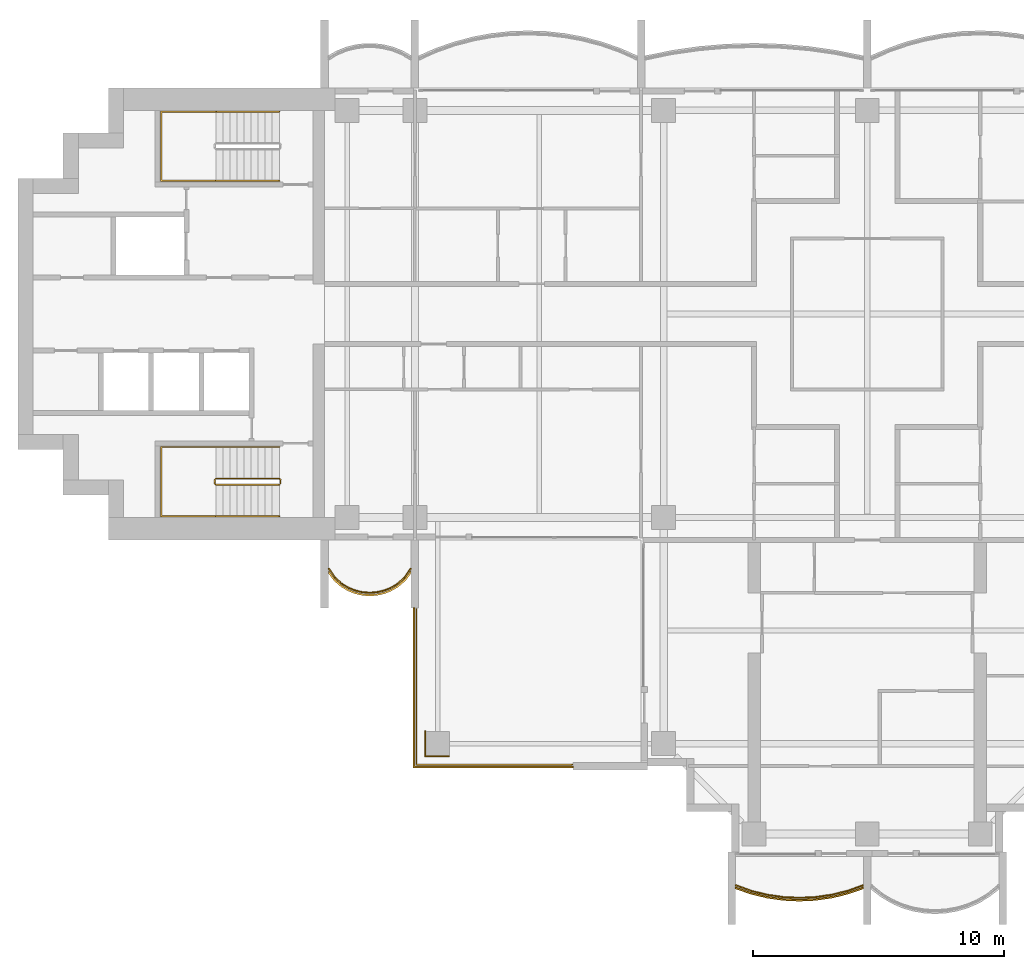
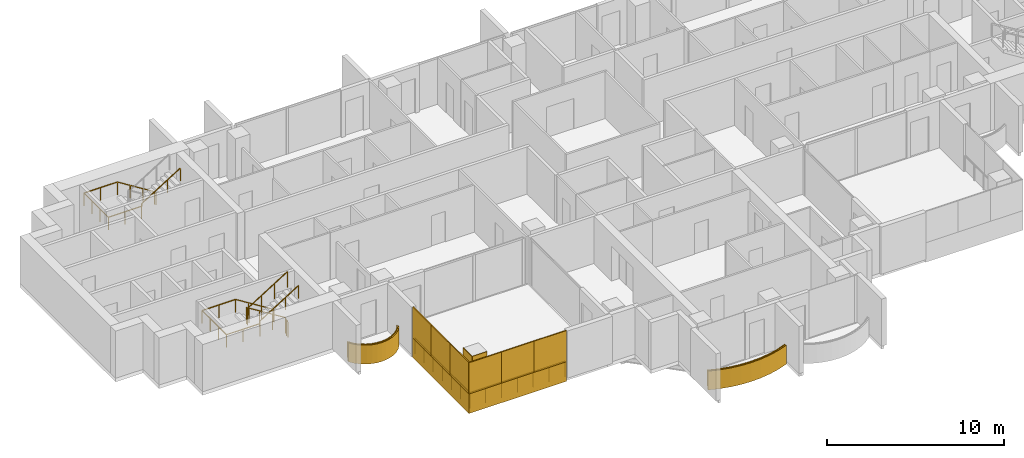
# One storey, part 14 of 17: 11 coverings, 6 railings.
"""IFC4 building model written with IfcOpenShell, lengths in metres."""

import ifcopenshell
import ifcopenshell.guid

model = None  # the IFC model being written
_history = None  # IfcOwnerHistory: only IFC2X3 demands one
_inside = {}  # id of a spatial element -> (the spatial element, [elements in it])
_under = {}  # id of a project, library or spatial element -> (it, [spatial elements below it])
_declared = {}  # id of a project -> (the project, [libraries it declares])
_typed = {}  # id of a type object -> (the type object, [elements of that type])
_made_of = {}  # id of a material, layer set ... -> (it, [elements and type objects made of it])


def new_model(schema):
    """Start an empty IFC model of exactly this schema.

    Asked for "IFC4X3", IfcOpenShell would pick the latest addendum, in which some entities
    have other attributes; the version numbers below select the first issue.
    IFC2X3 requires an IfcOwnerHistory on every rooted entity: one is made here for all.
    """
    global model, _history
    if schema == "IFC4X3":
        model = ifcopenshell.file(schema_version=(4, 3, 0, 0))
    else:
        model = ifcopenshell.file(schema=schema)
    _inside.clear()
    _under.clear()
    _declared.clear()
    _typed.clear()
    _made_of.clear()
    _history = None
    if model.schema == "IFC2X3":
        org = make("IfcOrganization", Name="unknown")
        user = make(
            "IfcPersonAndOrganization",
            ThePerson=make("IfcPerson", FamilyName="unknown"),
            TheOrganization=org,
        )
        app = make(
            "IfcApplication",
            ApplicationDeveloper=org,
            Version="unknown",
            ApplicationFullName="unknown",
            ApplicationIdentifier="unknown",
        )
        _history = make(
            "IfcOwnerHistory",
            OwningUser=user,
            OwningApplication=app,
            ChangeAction="ADDED",
            CreationDate=0,
        )
    return model


def make(cls, **values):
    """One entity of the class cls with the attributes given. An attribute that is None is left unset."""
    return model.create_entity(
        cls, **{name: value for name, value in values.items() if value is not None}
    )


def rooted(cls, **values):
    """An entity with a GlobalId (a new one), such as an element, a storey or a relation."""
    return make(cls, GlobalId=ifcopenshell.guid.new(), OwnerHistory=_history, **values)


def si_unit(unit_type, name, prefix=None):
    """IfcSIUnit, for example si_unit("LENGTHUNIT", "METRE", prefix="MILLI")."""
    return make("IfcSIUnit", UnitType=unit_type, Prefix=prefix, Name=name)


def assignment(units):
    """IfcUnitAssignment: the units of a project."""
    return None if units is None else make("IfcUnitAssignment", Units=units)


def point(xyz):
    """IfcCartesianPoint."""
    return None if xyz is None else make("IfcCartesianPoint", Coordinates=xyz)


def direction(xyz):
    """IfcDirection."""
    return None if xyz is None else make("IfcDirection", DirectionRatios=xyz)


def frame(location, z_axis=None, x_axis=None):
    """IfcAxis2Placement3D, a coordinate frame: its origin and axes. An axis left out is left unset."""
    return make(
        "IfcAxis2Placement3D",
        Location=point(location),
        Axis=direction(z_axis),
        RefDirection=direction(x_axis),
    )


def frame_2d(location, x_axis=None):
    """IfcAxis2Placement2D, a coordinate frame in the plane: its origin and x axis."""
    return make(
        "IfcAxis2Placement2D", Location=point(location), RefDirection=direction(x_axis)
    )


def origin():
    """The frame at (0, 0, 0) with its axes left unset."""
    return frame((0.0, 0.0, 0.0))


def origin_2d():
    """The frame at (0, 0) in the plane with its x axis left unset."""
    return frame_2d((0.0, 0.0))


def place(relative_to, where):
    """IfcLocalPlacement: puts the frame where relative to a parent placement (None: the world)."""
    return make(
        "IfcLocalPlacement", PlacementRelTo=relative_to, RelativePlacement=where
    )


def context(
    kind, dimensions, precision=None, world=None, true_north=None, identifier=None
):
    """IfcGeometricRepresentationContext, for example the 3D "Model" context."""
    return make(
        "IfcGeometricRepresentationContext",
        ContextIdentifier=identifier,
        ContextType=kind,
        CoordinateSpaceDimension=dimensions,
        Precision=precision,
        WorldCoordinateSystem=world,
        TrueNorth=true_north,
    )


def subcontext(parent, identifier, kind, view, scale=None):
    """IfcGeometricRepresentationSubContext, for example "Body" below "Model"."""
    return make(
        "IfcGeometricRepresentationSubContext",
        ContextIdentifier=identifier,
        ContextType=kind,
        ParentContext=parent,
        TargetScale=scale,
        TargetView=view,
    )


def project(units=None, contexts=None):
    """IfcProject with its units and contexts."""
    return rooted(
        "IfcProject",
        Name="project",
        RepresentationContexts=contexts,
        UnitsInContext=assignment(units),
    )


def spatial(cls, under=None, at=None, **own):
    """A site, building, storey or space (cls), placed at a placement, below another one or the project."""
    s = rooted(cls, ObjectPlacement=at, **own)
    if under is not None:
        _under.setdefault(under.id(), (under, []))[1].append(s)
    return s


def polyline(points):
    """IfcPolyline through the points."""
    return make("IfcPolyline", Points=[point(p) for p in points])


def profile(cls, at=None, kind="AREA", **sizes):
    """A parametric profile (cls). Its sizes go by their IFC names, for example OverallWidth=200.0."""
    return make(cls, ProfileType=kind, Position=at, **sizes)


def rectangle(**sizes):
    """IfcRectangleProfileDef."""
    return profile("IfcRectangleProfileDef", **sizes)


def outline(outer, holes=None, kind="AREA"):
    """IfcArbitraryClosedProfileDef: a profile drawn as a closed curve; with holes, ...WithVoids."""
    if holes is None:
        return make("IfcArbitraryClosedProfileDef", ProfileType=kind, OuterCurve=outer)
    return make(
        "IfcArbitraryProfileDefWithVoids",
        ProfileType=kind,
        OuterCurve=outer,
        InnerCurves=holes,
    )


def extrude(swept, where, along, depth):
    """IfcExtrudedAreaSolid: the profile swept, set in the frame where, extruded along a direction by depth."""
    return make(
        "IfcExtrudedAreaSolid",
        SweptArea=swept,
        Position=where,
        ExtrudedDirection=direction(along),
        Depth=depth,
    )


def shape(context_of_items, identifier, shape_type, items):
    """IfcShapeRepresentation: the items that make up one representation, for example the "Body"."""
    return make(
        "IfcShapeRepresentation",
        ContextOfItems=context_of_items,
        RepresentationIdentifier=identifier,
        RepresentationType=shape_type,
        Items=items,
    )


def material(Name=None, Category=None):
    """IfcMaterial."""
    return make("IfcMaterial", Name=Name, Category=Category)


def layer(
    of_material, thickness, ventilated=None, Name=None, Category=None, Priority=None
):
    """IfcMaterialLayer: one layer of a wall or slab, of a material (None: an air gap)."""
    return make(
        "IfcMaterialLayer",
        Material=of_material,
        LayerThickness=thickness,
        IsVentilated=ventilated,
        Name=Name,
        Category=Category,
        Priority=Priority,
    )


def layer_set(layers, Name=None):
    """IfcMaterialLayerSet."""
    return make("IfcMaterialLayerSet", MaterialLayers=layers, LayerSetName=Name)


def made_of(thing, what):
    """Note that an element or type object is made of a material, layer set ...; save() writes the relation."""
    if what is not None:
        _made_of.setdefault(what.id(), (what, []))[1].append(thing)
    return thing


def type_object(cls, material=None, **own):
    """A type object (cls), such as IfcWallType, which elements share."""
    return made_of(rooted(cls, **own), material)


def element(
    cls,
    number,
    at=None,
    inside=None,
    cuts=None,
    type_object=None,
    material=None,
    context=None,
    identifier="Body",
    shape_type=None,
    held_by="IfcProductDefinitionShape",
    body=None,
    shapes=None,
    **own,
):
    """One element of the class cls, such as IfcWall. Its Tag is "e" and its number.

    at: its placement. inside: the storey or other place that contains it. cuts: it is an
    opening in that element (IfcRelVoidsElement). A single representation is given by context,
    identifier, shape_type and body (its items); several are given by shapes. held_by: the class
    of the entity that holds the representations. save() writes the other relations.
    """
    e = rooted(cls, Tag="e%d" % number, ObjectPlacement=at, **own)
    if body is not None:
        shapes = [shape(context, identifier, shape_type, body)]
    if shapes is not None:
        e.Representation = make(held_by, Representations=shapes)
    if inside is not None:
        _inside.setdefault(inside.id(), (inside, []))[1].append(e)
    if cuts is not None:
        rooted(
            "IfcRelVoidsElement", RelatingBuildingElement=cuts, RelatedOpeningElement=e
        )
    if type_object is not None:
        _typed.setdefault(type_object.id(), (type_object, []))[1].append(e)
    return made_of(e, material)


def aggregate(whole, parts):
    """IfcRelAggregates: a whole, such as a stair, and the parts it consists of."""
    return rooted("IfcRelAggregates", RelatingObject=whole, RelatedObjects=parts)


def save(model, path):
    """Write the relations noted so far, then the file.

    IfcRelAggregates (storeys below a building ...), IfcRelContainedInSpatialStructure (elements
    in a storey), IfcRelDefinesByType, IfcRelAssociatesMaterial and IfcRelDeclares: one each for
    every whole, place, type object, material and project.
    """
    for whole, parts in _under.values():
        aggregate(whole, parts)
    for where, things in _inside.values():
        rooted(
            "IfcRelContainedInSpatialStructure",
            RelatedElements=things,
            RelatingStructure=where,
        )
    for kind, things in _typed.values():
        rooted("IfcRelDefinesByType", RelatedObjects=things, RelatingType=kind)
    for what, things in _made_of.values():
        rooted("IfcRelAssociatesMaterial", RelatedObjects=things, RelatingMaterial=what)
    for by, libraries in _declared.values():
        rooted("IfcRelDeclares", RelatingContext=by, RelatedDefinitions=libraries)
    model.write(path)


model = new_model("IFC4")

# Units and contexts
model_context = context("Model", 3, precision=1e-05, world=origin(), true_north=direction((0.0, 1.0)))
body_context = subcontext(model_context, "Body", "Model", "MODEL_VIEW")
ifc_project = project(units=[si_unit("LENGTHUNIT", "METRE"), si_unit("AREAUNIT", "SQUARE_METRE"), si_unit("VOLUMEUNIT", "CUBIC_METRE"), si_unit("PLANEANGLEUNIT", "RADIAN"), si_unit("MASSUNIT", "GRAM", prefix="KILO")], contexts=[model_context])

# Site, building, storey
site_placement = place(None, origin())
site = spatial("IfcSite", under=ifc_project, at=site_placement, CompositionType="ELEMENT")
building_placement = place(site_placement, origin())
building = spatial("IfcBuilding", under=site, at=building_placement, Name="Perihelion Cross Residences", CompositionType="ELEMENT")
storey_placement = place(building_placement, frame((0.0, 0.0, 184.10009765625)))
storey = spatial("IfcBuildingStorey", under=building, at=storey_placement, Name="L45", CompositionType="ELEMENT", Elevation=184.10009765625)

# Coverings
ifc_material_1 = material(Name="Bronze anodised aluminium", Category="aluminium")
ifc_layer_1 = layer(ifc_material_1, 0.070068359375)
ifc_layer_set_1 = layer_set([ifc_layer_1], Name="Balcony fascia 1300")
covering_type_1 = type_object("IfcCoveringType", Name="Balcony fascia 1300", PredefinedType="CLADDING", material=ifc_layer_set_1)
covering_1_placement = place(storey_placement, frame((0.0, 0.0, -0.2001953125)))
element("IfcCovering", 1, at=covering_1_placement, inside=storey, type_object=covering_type_1, Name="Fascia BF1 L45 west side south bay 1", PredefinedType="CLADDING", context=body_context, shape_type="SweptSolid", body=[
    extrude(outline(polyline([(-21.226318359375, -10.616455078125), (-20.94091796875, -10.86328125), (-20.655517578125, -11.031494140625), (-20.370361328125, -11.142578125), (-20.085205078125, -11.206298828125), (-19.800048828125, -11.22705078125), (-19.514892578125, -11.206298828125), (-19.229736328125, -11.142578125), (-18.9443359375, -11.031494140625), (-18.6591796875, -10.86328125), (-18.373779296875, -10.616455078125), (-18.14990234375, -10.31689453125), (-18.14990234375, -10.199951171875), (-18.425048828125, -10.568603515625), (-18.699951171875, -10.806396484375), (-18.97509765625, -10.96875), (-19.25, -11.07568359375), (-19.52490234375, -11.136962890625), (-19.800048828125, -11.156982421875), (-20.074951171875, -11.136962890625), (-20.35009765625, -11.07568359375), (-20.625, -10.96875), (-20.89990234375, -10.806396484375), (-21.175048828125, -10.568603515625), (-21.449951171875, -10.199951171875), (-21.449951171875, -10.31689453125), (-21.226318359375, -10.616455078125)])), origin(), (0.0, 0.0, 1.0), 1.300048828125),
])
covering_2_placement = place(storey_placement, frame((0.0, 0.0, -0.2001953125)))
element("IfcCovering", 2, at=covering_2_placement, inside=storey, type_object=covering_type_1, Name="Fascia BF1 L45 south tip south bay 1", PredefinedType="CLADDING", context=body_context, shape_type="SweptSolid", body=[
    extrude(outline(polyline([(-4.63232421875, -23.090576171875), (-3.98828125, -23.247314453125), (-3.34423828125, -23.339599609375), (-2.699951171875, -23.3701171875), (-2.055908203125, -23.339599609375), (-1.411865234375, -23.247314453125), (-0.767578125, -23.090576171875), (-0.14990234375, -22.874267578125), (-0.14990234375, -22.800048828125), (-0.78759765625, -23.0234375), (-1.425048828125, -23.178466796875), (-2.0625, -23.269775390625), (-2.699951171875, -23.300048828125), (-3.33740234375, -23.269775390625), (-3.97509765625, -23.178466796875), (-4.612548828125, -23.0234375), (-5.25, -22.800048828125), (-5.25, -22.874267578125), (-4.63232421875, -23.090576171875)])), origin(), (0.0, 0.0, 1.0), 1.300048828125),
])

# Railings
ifc_material_2 = material(Name="Bronze anodised aluminium", Category="aluminium")
railing_type_1 = type_object("IfcRailingType", Name="Balcony guard 1100", PredefinedType="GUARDRAIL", material=ifc_material_2)
railing_1_placement = place(storey_placement, frame((-21.425048828125, -10.139892578125, 0.0)))
element("IfcRailing", 3, at=railing_1_placement, inside=storey, type_object=railing_type_1, Name="Guard GU1 L45 west side south bay 1 balcony", PredefinedType="GUARDRAIL", context=body_context, shape_type="SweptSolid", body=[
    extrude(rectangle(XDim=0.048095703125, YDim=0.048095703125, at=origin_2d()), frame((0.0, 0.0, 1.076171875), z_axis=(0.561260132269, -0.827639452857, 0.0), x_axis=(0.827639452857, 0.561260132269, 0.0)), (0.0, 0.0, 1.0), 0.4453125),
    extrude(rectangle(XDim=0.048095703125, YDim=0.048095703125, at=origin_2d()), frame((0.25, -0.36865234375, 1.076171875), z_axis=(0.756596535164, -0.653882009982, 0.0), x_axis=(0.653882009982, 0.756596535164, 0.0)), (0.0, 0.0, 1.0), 0.36376953125),
    extrude(rectangle(XDim=0.048095703125, YDim=0.048095703125, at=origin_2d()), frame((0.525146484375, -0.6064453125, 1.076171875), z_axis=(0.861048292884, -0.508523192511, 0.0), x_axis=(0.508523192511, 0.861048292884, 0.0)), (0.0, 0.0, 1.0), 0.3193359375),
    extrude(rectangle(XDim=0.048095703125, YDim=0.048095703125, at=origin_2d()), frame((0.800048828125, -0.768798828125, 1.076171875), z_axis=(0.931973602183, -0.362526143656, 0.0), x_axis=(0.362526143656, 0.931973602183, 0.0)), (0.0, 0.0, 1.0), 0.294921875),
    extrude(rectangle(XDim=0.048095703125, YDim=0.048095703125, at=origin_2d()), frame((1.074951171875, -0.875732421875, 1.076171875), z_axis=(0.976085059389, -0.21738895289, 0.0), x_axis=(0.21738895289, 0.976085059389, 0.0)), (0.0, 0.0, 1.0), 0.281982421875),
    extrude(rectangle(XDim=0.048095703125, YDim=0.048095703125, at=origin_2d()), frame((1.35009765625, -0.93701171875, 1.076171875), z_axis=(0.997358821833, -0.072631814734, 0.0), x_axis=(0.072631814734, 0.997358821833, 0.0)), (0.0, 0.0, 1.0), 0.275634765625),
    extrude(rectangle(XDim=0.048095703125, YDim=0.048095703125, at=origin_2d()), frame((1.625, -0.95703125, 1.076171875), z_axis=(0.997363488337, 0.072567707226, 0.0), x_axis=(-0.072567707226, 0.997363488337, 0.0)), (0.0, 0.0, 1.0), 0.27587890625),
    extrude(rectangle(XDim=0.048095703125, YDim=0.048095703125, at=origin_2d()), frame((1.900146484375, -0.93701171875, 1.076171875), z_axis=(0.976044077717, 0.217572880557, 0.0), x_axis=(-0.217572880557, 0.976044077717, 0.0)), (0.0, 0.0, 1.0), 0.28173828125),
    extrude(rectangle(XDim=0.048095703125, YDim=0.048095703125, at=origin_2d()), frame((2.175048828125, -0.875732421875, 1.076171875), z_axis=(0.931973602183, 0.362526143656, 0.0), x_axis=(-0.362526143656, 0.931973602183, 0.0)), (0.0, 0.0, 1.0), 0.294921875),
    extrude(rectangle(XDim=0.048095703125, YDim=0.048095703125, at=origin_2d()), frame((2.449951171875, -0.768798828125, 1.076171875), z_axis=(0.861245845072, 0.508188542123, 0.0), x_axis=(-0.508188542123, 0.861245845072, 0.0)), (0.0, 0.0, 1.0), 0.319580078125),
    extrude(rectangle(XDim=0.048095703125, YDim=0.048095703125, at=origin_2d()), frame((2.72509765625, -0.6064453125, 1.076171875), z_axis=(0.756309278473, 0.654214242658, 0.0), x_axis=(-0.654214242658, 0.756309278473, 0.0)), (0.0, 0.0, 1.0), 0.363525390625),
    extrude(rectangle(XDim=0.048095703125, YDim=0.048095703125, at=origin_2d()), frame((3.0, -0.36865234375, 1.076171875), z_axis=(0.561260132269, 0.827639452857, 0.0), x_axis=(-0.827639452857, 0.561260132269, 0.0)), (0.0, 0.0, 1.0), 0.4453125),
    extrude(rectangle(XDim=0.0419921875, YDim=0.0419921875, at=origin_2d()), origin(), (0.0, 0.0, 1.0), 1.052001953125),
    extrude(rectangle(XDim=0.0419921875, YDim=0.0419921875, at=origin_2d()), frame((0.25, -0.36865234375, 0.0)), (0.0, 0.0, 1.0), 1.052001953125),
    extrude(rectangle(XDim=0.0419921875, YDim=0.0419921875, at=origin_2d()), frame((0.525146484375, -0.6064453125, 0.0)), (0.0, 0.0, 1.0), 1.052001953125),
    extrude(rectangle(XDim=0.0419921875, YDim=0.0419921875, at=origin_2d()), frame((0.800048828125, -0.768798828125, 0.0)), (0.0, 0.0, 1.0), 1.052001953125),
    extrude(rectangle(XDim=0.0419921875, YDim=0.0419921875, at=origin_2d()), frame((1.074951171875, -0.875732421875, 0.0)), (0.0, 0.0, 1.0), 1.052001953125),
    extrude(rectangle(XDim=0.0419921875, YDim=0.0419921875, at=origin_2d()), frame((1.35009765625, -0.93701171875, 0.0)), (0.0, 0.0, 1.0), 1.052001953125),
    extrude(rectangle(XDim=0.0419921875, YDim=0.0419921875, at=origin_2d()), frame((1.625, -0.95703125, 0.0)), (0.0, 0.0, 1.0), 1.052001953125),
    extrude(rectangle(XDim=0.0419921875, YDim=0.0419921875, at=origin_2d()), frame((1.900146484375, -0.93701171875, 0.0)), (0.0, 0.0, 1.0), 1.052001953125),
    extrude(rectangle(XDim=0.0419921875, YDim=0.0419921875, at=origin_2d()), frame((2.175048828125, -0.875732421875, 0.0)), (0.0, 0.0, 1.0), 1.052001953125),
    extrude(rectangle(XDim=0.0419921875, YDim=0.0419921875, at=origin_2d()), frame((2.449951171875, -0.768798828125, 0.0)), (0.0, 0.0, 1.0), 1.052001953125),
    extrude(rectangle(XDim=0.0419921875, YDim=0.0419921875, at=origin_2d()), frame((2.72509765625, -0.6064453125, 0.0)), (0.0, 0.0, 1.0), 1.052001953125),
    extrude(rectangle(XDim=0.0419921875, YDim=0.0419921875, at=origin_2d()), frame((3.0, -0.36865234375, 0.0)), (0.0, 0.0, 1.0), 1.052001953125),
    extrude(rectangle(XDim=0.0419921875, YDim=0.0419921875, at=origin_2d()), frame((3.25, 0.0, 0.0)), (0.0, 0.0, 1.0), 1.052001953125),
])
railing_2_placement = place(storey_placement, frame((-5.22509765625, -22.739990234375, 0.0)))
element("IfcRailing", 4, at=railing_2_placement, inside=storey, type_object=railing_type_1, Name="Guard GU1 L45 south tip south bay 1 balcony", PredefinedType="GUARDRAIL", context=body_context, shape_type="SweptSolid", body=[
    extrude(rectangle(XDim=0.048095703125, YDim=0.048095703125, at=origin_2d()), frame((0.0, 0.0, 1.076171875), z_axis=(0.939355405384, -0.342945217749, 0.0), x_axis=(0.342945217749, 0.939355405384, 0.0)), (0.0, 0.0, 1.0), 0.652099609375),
    extrude(rectangle(XDim=0.048095703125, YDim=0.048095703125, at=origin_2d()), frame((0.612548828125, -0.2236328125, 1.076171875), z_axis=(0.971676841941, -0.236313594268, 0.0), x_axis=(0.236313594268, 0.971676841941, 0.0)), (0.0, 0.0, 1.0), 0.656005859375),
    extrude(rectangle(XDim=0.048095703125, YDim=0.048095703125, at=origin_2d()), frame((1.25, -0.378662109375, 1.076171875), z_axis=(0.989903964498, -0.141739694763, 0.0), x_axis=(0.141739694763, 0.989903964498, 0.0)), (0.0, 0.0, 1.0), 0.644287109375),
    extrude(rectangle(XDim=0.048095703125, YDim=0.048095703125, at=origin_2d()), frame((1.8876953125, -0.469970703125, 1.076171875), z_axis=(0.998892243319, -0.04705620296, 0.0), x_axis=(0.04705620296, 0.998892243319, 0.0)), (0.0, 0.0, 1.0), 0.63818359375),
    extrude(rectangle(XDim=0.048095703125, YDim=0.048095703125, at=origin_2d()), frame((2.525146484375, -0.5, 1.076171875), z_axis=(0.998892243319, 0.04705620296, 0.0), x_axis=(-0.04705620296, 0.998892243319, 0.0)), (0.0, 0.0, 1.0), 0.63818359375),
    extrude(rectangle(XDim=0.048095703125, YDim=0.048095703125, at=origin_2d()), frame((3.16259765625, -0.469970703125, 1.076171875), z_axis=(0.989896346386, 0.141792889142, 0.0), x_axis=(-0.141792889142, 0.989896346386, 0.0)), (0.0, 0.0, 1.0), 0.64404296875),
    extrude(rectangle(XDim=0.048095703125, YDim=0.048095703125, at=origin_2d()), frame((3.800048828125, -0.378662109375, 1.076171875), z_axis=(0.971676841941, 0.236313594268, 0.0), x_axis=(-0.236313594268, 0.971676841941, 0.0)), (0.0, 0.0, 1.0), 0.656005859375),
    extrude(rectangle(XDim=0.048095703125, YDim=0.048095703125, at=origin_2d()), frame((4.4375, -0.2236328125, 1.076171875), z_axis=(0.939355405384, 0.342945217749, 0.0), x_axis=(-0.342945217749, 0.939355405384, 0.0)), (0.0, 0.0, 1.0), 0.652099609375),
    extrude(rectangle(XDim=0.0419921875, YDim=0.0419921875, at=origin_2d()), origin(), (0.0, 0.0, 1.0), 1.052001953125),
    extrude(rectangle(XDim=0.0419921875, YDim=0.0419921875, at=origin_2d()), frame((0.612548828125, -0.2236328125, 0.0)), (0.0, 0.0, 1.0), 1.052001953125),
    extrude(rectangle(XDim=0.0419921875, YDim=0.0419921875, at=origin_2d()), frame((1.25, -0.378662109375, 0.0)), (0.0, 0.0, 1.0), 1.052001953125),
    extrude(rectangle(XDim=0.0419921875, YDim=0.0419921875, at=origin_2d()), frame((1.8876953125, -0.469970703125, 0.0)), (0.0, 0.0, 1.0), 1.052001953125),
    extrude(rectangle(XDim=0.0419921875, YDim=0.0419921875, at=origin_2d()), frame((2.525146484375, -0.5, 0.0)), (0.0, 0.0, 1.0), 1.052001953125),
    extrude(rectangle(XDim=0.0419921875, YDim=0.0419921875, at=origin_2d()), frame((3.16259765625, -0.469970703125, 0.0)), (0.0, 0.0, 1.0), 1.052001953125),
    extrude(rectangle(XDim=0.0419921875, YDim=0.0419921875, at=origin_2d()), frame((3.800048828125, -0.378662109375, 0.0)), (0.0, 0.0, 1.0), 1.052001953125),
    extrude(rectangle(XDim=0.0419921875, YDim=0.0419921875, at=origin_2d()), frame((4.4375, -0.2236328125, 0.0)), (0.0, 0.0, 1.0), 1.052001953125),
    extrude(rectangle(XDim=0.0419921875, YDim=0.0419921875, at=origin_2d()), frame((5.050048828125, 0.0, 0.0)), (0.0, 0.0, 1.0), 1.052001953125),
])
railing_3_placement = place(storey_placement, frame((-11.739990234375, -17.93994140625, 0.0)))
element("IfcRailing", 5, at=railing_3_placement, inside=storey, type_object=railing_type_1, Name="Guard GU1 L45 pocket south-west 1", PredefinedType="GUARDRAIL", context=body_context, shape_type="SweptSolid", body=[
    extrude(rectangle(XDim=0.048095703125, YDim=0.048095703125, at=origin_2d()), frame((0.0, 0.0, 1.076171875), z_axis=(-1.0, 0.0, 0.0), x_axis=(0.0, -1.0, 0.0)), (0.0, 0.0, 1.0), 6.199951171875),
    extrude(rectangle(XDim=0.048095703125, YDim=0.048095703125, at=origin_2d()), frame((-6.199951171875, 0.0, 1.076171875), z_axis=(0.0, 1.0, 0.0), x_axis=(-1.0, 0.0, 0.0)), (0.0, 0.0, 1.0), 6.199951171875),
    extrude(rectangle(XDim=0.0419921875, YDim=0.0419921875, at=origin_2d()), origin(), (0.0, 0.0, 1.0), 1.052001953125),
    extrude(rectangle(XDim=0.0419921875, YDim=0.0419921875, at=origin_2d()), frame((-1.033203125, 0.0, 0.0)), (0.0, 0.0, 1.0), 1.052001953125),
    extrude(rectangle(XDim=0.0419921875, YDim=0.0419921875, at=origin_2d()), frame((-2.066650390625, 0.0, 0.0)), (0.0, 0.0, 1.0), 1.052001953125),
    extrude(rectangle(XDim=0.0419921875, YDim=0.0419921875, at=origin_2d()), frame((-3.10009765625, 0.0, 0.0)), (0.0, 0.0, 1.0), 1.052001953125),
    extrude(rectangle(XDim=0.0419921875, YDim=0.0419921875, at=origin_2d()), frame((-4.13330078125, 0.0, 0.0)), (0.0, 0.0, 1.0), 1.052001953125),
    extrude(rectangle(XDim=0.0419921875, YDim=0.0419921875, at=origin_2d()), frame((-5.16650390625, 0.0, 0.0)), (0.0, 0.0, 1.0), 1.052001953125),
    extrude(rectangle(XDim=0.0419921875, YDim=0.0419921875, at=origin_2d()), frame((-6.199951171875, 0.0, 0.0)), (0.0, 0.0, 1.0), 1.052001953125),
    extrude(rectangle(XDim=0.0419921875, YDim=0.0419921875, at=origin_2d()), frame((-6.199951171875, 1.033203125, 0.0)), (0.0, 0.0, 1.0), 1.052001953125),
    extrude(rectangle(XDim=0.0419921875, YDim=0.0419921875, at=origin_2d()), frame((-6.199951171875, 2.066650390625, 0.0)), (0.0, 0.0, 1.0), 1.052001953125),
    extrude(rectangle(XDim=0.0419921875, YDim=0.0419921875, at=origin_2d()), frame((-6.199951171875, 3.10009765625, 0.0)), (0.0, 0.0, 1.0), 1.052001953125),
    extrude(rectangle(XDim=0.0419921875, YDim=0.0419921875, at=origin_2d()), frame((-6.199951171875, 4.13330078125, 0.0)), (0.0, 0.0, 1.0), 1.052001953125),
    extrude(rectangle(XDim=0.0419921875, YDim=0.0419921875, at=origin_2d()), frame((-6.199951171875, 5.16650390625, 0.0)), (0.0, 0.0, 1.0), 1.052001953125),
    extrude(rectangle(XDim=0.0419921875, YDim=0.0419921875, at=origin_2d()), frame((-6.199951171875, 6.199951171875, 0.0)), (0.0, 0.0, 1.0), 1.052001953125),
])

# Coverings
ifc_material_3 = material(Name="Bronze anodised aluminium", Category="aluminium")
ifc_layer_2 = layer(ifc_material_3, 0.0400390625)
ifc_layer_set_2 = layer_set([ifc_layer_2], Name="Bronze column casing 40")
covering_type_2 = type_object("IfcCoveringType", Name="Bronze column casing 40", PredefinedType="CLADDING", material=ifc_layer_set_2)
covering_3_placement = place(storey_placement, frame((-17.594970703125, -17.10009765625, -0.25), z_axis=(0.0, 0.0, 1.0), x_axis=(1.0, 0.0, 0.0)))
element("IfcCovering", 6, at=covering_3_placement, inside=storey, type_object=covering_type_2, Name="Cladding CC1 L45 casing east-west no. 1", PredefinedType="CLADDING", context=body_context, shape_type="SweptSolid", body=[
    extrude(rectangle(XDim=0.0400390625, YDim=1.030029296875, at=origin_2d()), origin(), (0.0, 0.0, 1.0), 3.5),
])
covering_4_placement = place(storey_placement, frame((-17.10009765625, -17.594970703125, -0.25), z_axis=(0.0, 0.0, 1.0), x_axis=(1.0, 0.0, 0.0)))
element("IfcCovering", 7, at=covering_4_placement, inside=storey, type_object=covering_type_2, Name="Cladding CC1 L45 casing north-south no. 1", PredefinedType="CLADDING", context=body_context, shape_type="SweptSolid", body=[
    extrude(rectangle(XDim=0.949951171875, YDim=0.0400390625, at=origin_2d()), origin(), (0.0, 0.0, 1.0), 3.5),
])
ifc_material_4 = material(Name="Bronze anodised aluminium", Category="aluminium")
ifc_layer_3 = layer(ifc_material_4, 0.070068359375)
ifc_layer_set_3 = layer_set([ifc_layer_3], Name="Pocket fascia 1350")
covering_type_3 = type_object("IfcCoveringType", Name="Pocket fascia 1350", PredefinedType="CLADDING", material=ifc_layer_set_3)
covering_5_placement = place(storey_placement, frame((0.0, 0.0, -0.25)))
element("IfcCovering", 8, at=covering_5_placement, inside=storey, type_object=covering_type_3, Name="Fascia BF2 L45 pocket south-west 1", PredefinedType="CLADDING", context=body_context, shape_type="SweptSolid", body=[
    extrude(outline(polyline([(-18.070068359375, -11.699951171875), (-18.070068359375, -18.070068359375), (-11.699951171875, -18.070068359375), (-11.699951171875, -18.0), (-18.0, -18.0), (-18.0, -11.699951171875), (-18.070068359375, -11.699951171875)])), origin(), (0.0, 0.0, 1.0), 1.349853515625),
])
ifc_material_5 = material(Name="Bronze perforated aluminium", Category="aluminium")
ifc_layer_4 = layer(ifc_material_5, 0.070068359375)
ifc_layer_set_4 = layer_set([ifc_layer_4], Name="Pocket solar screen, bronze perforated")
covering_type_4 = type_object("IfcCoveringType", Name="Pocket solar screen, bronze perforated", PredefinedType="CLADDING", material=ifc_layer_set_4)
covering_6_placement = place(storey_placement, frame((0.0, 0.0, 1.099853515625)))
element("IfcCovering", 9, at=covering_6_placement, inside=storey, type_object=covering_type_4, Name="Solar screen PS1 L45 pocket south-west no. 1", PredefinedType="CLADDING", context=body_context, shape_type="SweptSolid", body=[
    extrude(outline(polyline([(-18.0, -18.0), (-18.0, -15.89990234375), (-18.070068359375, -15.89990234375), (-18.070068359375, -18.0), (-18.0, -18.0)])), origin(), (0.0, 0.0, 1.0), 2.150146484375),
])
covering_7_placement = place(storey_placement, frame((0.0, 0.0, 1.099853515625)))
element("IfcCovering", 10, at=covering_7_placement, inside=storey, type_object=covering_type_4, Name="Solar screen PS1 L45 pocket south-west no. 2", PredefinedType="CLADDING", context=body_context, shape_type="SweptSolid", body=[
    extrude(outline(polyline([(-18.0, -15.89990234375), (-18.0, -13.800048828125), (-18.070068359375, -13.800048828125), (-18.070068359375, -15.89990234375), (-18.0, -15.89990234375)])), origin(), (0.0, 0.0, 1.0), 2.150146484375),
])
covering_8_placement = place(storey_placement, frame((0.0, 0.0, 1.099853515625)))
element("IfcCovering", 11, at=covering_8_placement, inside=storey, type_object=covering_type_4, Name="Solar screen PS1 L45 pocket south-west no. 3", PredefinedType="CLADDING", context=body_context, shape_type="SweptSolid", body=[
    extrude(outline(polyline([(-18.0, -13.800048828125), (-18.0, -11.699951171875), (-18.070068359375, -11.699951171875), (-18.070068359375, -13.800048828125), (-18.0, -13.800048828125)])), origin(), (0.0, 0.0, 1.0), 2.150146484375),
])
covering_9_placement = place(storey_placement, frame((0.0, 0.0, 1.099853515625)))
element("IfcCovering", 12, at=covering_9_placement, inside=storey, type_object=covering_type_4, Name="Solar screen PS1 L45 pocket south-west no. 4", PredefinedType="CLADDING", context=body_context, shape_type="SweptSolid", body=[
    extrude(outline(polyline([(-15.94677734375, -18.070068359375), (-15.94677734375, -18.0), (-18.070068359375, -18.0), (-18.070068359375, -18.070068359375), (-15.94677734375, -18.070068359375)])), origin(), (0.0, 0.0, 1.0), 2.150146484375),
])
covering_10_placement = place(storey_placement, frame((0.0, 0.0, 1.099853515625)))
element("IfcCovering", 13, at=covering_10_placement, inside=storey, type_object=covering_type_4, Name="Solar screen PS1 L45 pocket south-west no. 5", PredefinedType="CLADDING", context=body_context, shape_type="SweptSolid", body=[
    extrude(outline(polyline([(-13.8232421875, -18.070068359375), (-13.8232421875, -18.0), (-15.94677734375, -18.0), (-15.94677734375, -18.070068359375), (-13.8232421875, -18.070068359375)])), origin(), (0.0, 0.0, 1.0), 2.150146484375),
])
covering_11_placement = place(storey_placement, frame((0.0, 0.0, 1.099853515625)))
element("IfcCovering", 14, at=covering_11_placement, inside=storey, type_object=covering_type_4, Name="Solar screen PS1 L45 pocket south-west no. 6", PredefinedType="CLADDING", context=body_context, shape_type="SweptSolid", body=[
    extrude(outline(polyline([(-11.699951171875, -18.070068359375), (-11.699951171875, -18.0), (-13.8232421875, -18.0), (-13.8232421875, -18.070068359375), (-11.699951171875, -18.070068359375)])), origin(), (0.0, 0.0, 1.0), 2.150146484375),
])

# Railings
ifc_material_6 = material(Name="Stainless steel", Category="steel")
railing_type_2 = type_object("IfcRailingType", Name="Stair guard 1100", PredefinedType="GUARDRAIL", material=ifc_material_6)
railing_4_placement = place(storey_placement, frame((-23.35009765625, -6.75, 0.0)))
element("IfcRailing", 15, at=railing_4_placement, inside=storey, type_object=railing_type_2, Name="L45 ST-W2 stair guard 1", PredefinedType="GUARDRAIL", context=body_context, shape_type="SweptSolid", body=[
    extrude(rectangle(XDim=0.048095703125, YDim=0.048095703125, at=origin_2d()), frame((0.0, 0.0, 1.076171875), z_axis=(0.0, 1.0, 0.0), x_axis=(-1.0, 0.0, 0.0)), (0.0, 0.0, 1.0), 0.14990234375),
    extrude(rectangle(XDim=0.048095703125, YDim=0.048095703125, at=origin_2d()), frame((0.0, 0.14990234375, 1.076171875), z_axis=(-0.264179342666, 0.265474339444, 0.927217692888), x_axis=(-0.708833529934, -0.705375805398, 0.0)), (0.0, 0.0, 1.0), 0.1884765625),
    extrude(rectangle(XDim=0.048095703125, YDim=0.048095703125, at=origin_2d()), frame((-0.0498046875, 0.199951171875, 1.2509765625), z_axis=(-0.847970611238, 0.0, 0.530043245855), x_axis=(0.0, -1.0, 0.0)), (0.0, 0.0, 1.0), 2.971923828125),
    extrude(rectangle(XDim=0.048095703125, YDim=0.048095703125, at=origin_2d()), frame((-2.56982421875, 0.199951171875, 2.826171875), z_axis=(-0.707106781187, -0.707106781187, 0.0), x_axis=(0.707106781187, -0.707106781187, 0.0)), (0.0, 0.0, 1.0), 0.07080078125),
    extrude(rectangle(XDim=0.048095703125, YDim=0.048095703125, at=origin_2d()), frame((-2.619873046875, 0.14990234375, 2.826171875), z_axis=(0.0, -1.0, 0.0), x_axis=(1.0, 0.0, 0.0)), (0.0, 0.0, 1.0), 0.14990234375),
    extrude(rectangle(XDim=0.048095703125, YDim=0.048095703125, at=origin_2d()), frame((-2.619873046875, 0.0, 2.826171875), z_axis=(0.265383341853, -0.265383341853, 0.926899867156), x_axis=(0.707106781187, 0.707106781187, 0.0)), (0.0, 0.0, 1.0), 0.1884765625),
    extrude(rectangle(XDim=0.048095703125, YDim=0.048095703125, at=origin_2d()), frame((-2.56982421875, -0.050048828125, 3.0009765625), z_axis=(0.847970611238, 0.0, 0.530043245855), x_axis=(0.0, 1.0, 0.0)), (0.0, 0.0, 1.0), 2.971923828125),
    extrude(rectangle(XDim=0.0419921875, YDim=0.0419921875, at=origin_2d()), origin(), (0.0, 0.0, 1.0), 1.052001953125),
    extrude(rectangle(XDim=0.0419921875, YDim=0.0419921875, at=origin_2d()), frame((0.0, 0.14990234375, 0.0)), (0.0, 0.0, 1.0), 1.052001953125),
    extrude(rectangle(XDim=0.0419921875, YDim=0.0419921875, at=origin_2d()), frame((-0.0498046875, 0.199951171875, 0.1748046875)), (0.0, 0.0, 1.0), 1.052001953125),
    extrude(rectangle(XDim=0.0419921875, YDim=0.0419921875, at=origin_2d()), frame((-0.889892578125, 0.199951171875, 0.699951171875)), (0.0, 0.0, 1.0), 1.052001953125),
    extrude(rectangle(XDim=0.0419921875, YDim=0.0419921875, at=origin_2d()), frame((-1.729736328125, 0.199951171875, 1.224853515625)), (0.0, 0.0, 1.0), 1.052001953125),
    extrude(rectangle(XDim=0.0419921875, YDim=0.0419921875, at=origin_2d()), frame((-2.56982421875, 0.199951171875, 1.75)), (0.0, 0.0, 1.0), 1.052001953125),
    extrude(rectangle(XDim=0.0419921875, YDim=0.0419921875, at=origin_2d()), frame((-2.619873046875, 0.14990234375, 1.75)), (0.0, 0.0, 1.0), 1.052001953125),
    extrude(rectangle(XDim=0.0419921875, YDim=0.0419921875, at=origin_2d()), frame((-2.619873046875, 0.0, 1.75)), (0.0, 0.0, 1.0), 1.052001953125),
    extrude(rectangle(XDim=0.0419921875, YDim=0.0419921875, at=origin_2d()), frame((-2.56982421875, -0.050048828125, 1.9248046875)), (0.0, 0.0, 1.0), 1.052001953125),
    extrude(rectangle(XDim=0.0419921875, YDim=0.0419921875, at=origin_2d()), frame((-1.729736328125, -0.050048828125, 2.449951171875)), (0.0, 0.0, 1.0), 1.052001953125),
    extrude(rectangle(XDim=0.0419921875, YDim=0.0419921875, at=origin_2d()), frame((-0.889892578125, -0.050048828125, 2.974853515625)), (0.0, 0.0, 1.0), 1.052001953125),
    extrude(rectangle(XDim=0.0419921875, YDim=0.0419921875, at=origin_2d()), frame((-0.0498046875, -0.050048828125, 3.5)), (0.0, 0.0, 1.0), 1.052001953125),
])
ifc_material_7 = material(Name="Stainless steel", Category="steel")
railing_type_3 = type_object("IfcRailingType", Name="Stair handrail 900", PredefinedType="HANDRAIL", material=ifc_material_7)
railing_5_placement = place(storey_placement, frame((-23.39990234375, 8.050048828125, 0.1748046875)))
element("IfcRailing", 16, at=railing_5_placement, inside=storey, type_object=railing_type_3, Name="L45 ST-W1 stair handrail 1", PredefinedType="HANDRAIL", context=body_context, shape_type="SweptSolid", body=[
    extrude(rectangle(XDim=0.048095703125, YDim=0.048095703125, at=origin_2d()), frame((0.0, 0.0, 0.8759765625), z_axis=(-0.847970611238, 0.0, 0.530043245855), x_axis=(0.0, -1.0, 0.0)), (0.0, 0.0, 1.0), 2.971923828125),
    extrude(rectangle(XDim=0.048095703125, YDim=0.048095703125, at=origin_2d()), frame((-2.52001953125, 0.0, 2.451171875), z_axis=(-1.0, 0.0, 0.0), x_axis=(0.0, -1.0, 0.0)), (0.0, 0.0, 1.0), 2.18017578125),
    extrude(rectangle(XDim=0.048095703125, YDim=0.048095703125, at=origin_2d()), frame((-4.7001953125, 0.0, 2.451171875), z_axis=(0.0, -1.0, 0.0), x_axis=(1.0, 0.0, 0.0)), (0.0, 0.0, 1.0), 2.75),
    extrude(rectangle(XDim=0.048095703125, YDim=0.048095703125, at=origin_2d()), frame((-4.7001953125, -2.75, 2.451171875), z_axis=(1.0, 0.0, 0.0), x_axis=(0.0, 1.0, 0.0)), (0.0, 0.0, 1.0), 2.18017578125),
    extrude(rectangle(XDim=0.048095703125, YDim=0.048095703125, at=origin_2d()), frame((-2.52001953125, -2.75, 2.451171875), z_axis=(0.0, 0.0, 1.0), x_axis=(1.0, 0.0, 0.0)), (0.0, 0.0, 1.0), 0.1748046875),
    extrude(rectangle(XDim=0.048095703125, YDim=0.048095703125, at=origin_2d()), frame((-2.52001953125, -2.75, 2.6259765625), z_axis=(0.847970611238, 0.0, 0.530043245855), x_axis=(0.0, 1.0, 0.0)), (0.0, 0.0, 1.0), 2.971923828125),
    extrude(rectangle(XDim=0.0419921875, YDim=0.0419921875, at=origin_2d()), origin(), (0.0, 0.0, 1.0), 0.851806640625),
    extrude(rectangle(XDim=0.0419921875, YDim=0.0419921875, at=origin_2d()), frame((-0.840087890625, 0.0, 0.525146484375)), (0.0, 0.0, 1.0), 0.851806640625),
    extrude(rectangle(XDim=0.0419921875, YDim=0.0419921875, at=origin_2d()), frame((-1.679931640625, 0.0, 1.050048828125)), (0.0, 0.0, 1.0), 0.851806640625),
    extrude(rectangle(XDim=0.0419921875, YDim=0.0419921875, at=origin_2d()), frame((-2.52001953125, 0.0, 1.5751953125)), (0.0, 0.0, 1.0), 0.851806640625),
    extrude(rectangle(XDim=0.0419921875, YDim=0.0419921875, at=origin_2d()), frame((-3.610107421875, 0.0, 1.5751953125)), (0.0, 0.0, 1.0), 0.851806640625),
    extrude(rectangle(XDim=0.0419921875, YDim=0.0419921875, at=origin_2d()), frame((-4.7001953125, 0.0, 1.5751953125)), (0.0, 0.0, 1.0), 0.851806640625),
    extrude(rectangle(XDim=0.0419921875, YDim=0.0419921875, at=origin_2d()), frame((-4.7001953125, -0.916748046875, 1.5751953125)), (0.0, 0.0, 1.0), 0.851806640625),
    extrude(rectangle(XDim=0.0419921875, YDim=0.0419921875, at=origin_2d()), frame((-4.7001953125, -1.833251953125, 1.5751953125)), (0.0, 0.0, 1.0), 0.851806640625),
    extrude(rectangle(XDim=0.0419921875, YDim=0.0419921875, at=origin_2d()), frame((-4.7001953125, -2.75, 1.5751953125)), (0.0, 0.0, 1.0), 0.851806640625),
    extrude(rectangle(XDim=0.0419921875, YDim=0.0419921875, at=origin_2d()), frame((-3.610107421875, -2.75, 1.5751953125)), (0.0, 0.0, 1.0), 0.851806640625),
    extrude(rectangle(XDim=0.0419921875, YDim=0.0419921875, at=origin_2d()), frame((-2.52001953125, -2.75, 1.5751953125)), (0.0, 0.0, 1.0), 0.851806640625),
    extrude(rectangle(XDim=0.0419921875, YDim=0.0419921875, at=origin_2d()), frame((-2.52001953125, -2.75, 1.75)), (0.0, 0.0, 1.0), 0.851806640625),
    extrude(rectangle(XDim=0.0419921875, YDim=0.0419921875, at=origin_2d()), frame((-1.679931640625, -2.75, 2.275146484375)), (0.0, 0.0, 1.0), 0.851806640625),
    extrude(rectangle(XDim=0.0419921875, YDim=0.0419921875, at=origin_2d()), frame((-0.840087890625, -2.75, 2.800048828125)), (0.0, 0.0, 1.0), 0.851806640625),
    extrude(rectangle(XDim=0.0419921875, YDim=0.0419921875, at=origin_2d()), frame((0.0, -2.75, 3.3251953125)), (0.0, 0.0, 1.0), 0.851806640625),
])
railing_6_placement = place(storey_placement, frame((-23.39990234375, -5.300048828125, 0.1748046875)))
element("IfcRailing", 17, at=railing_6_placement, inside=storey, type_object=railing_type_3, Name="L45 ST-W2 stair handrail 1", PredefinedType="HANDRAIL", context=body_context, shape_type="SweptSolid", body=[
    extrude(rectangle(XDim=0.048095703125, YDim=0.048095703125, at=origin_2d()), frame((0.0, 0.0, 0.8759765625), z_axis=(-0.847970611238, 0.0, 0.530043245855), x_axis=(0.0, -1.0, 0.0)), (0.0, 0.0, 1.0), 2.971923828125),
    extrude(rectangle(XDim=0.048095703125, YDim=0.048095703125, at=origin_2d()), frame((-2.52001953125, 0.0, 2.451171875), z_axis=(-1.0, 0.0, 0.0), x_axis=(0.0, -1.0, 0.0)), (0.0, 0.0, 1.0), 2.18017578125),
    extrude(rectangle(XDim=0.048095703125, YDim=0.048095703125, at=origin_2d()), frame((-4.7001953125, 0.0, 2.451171875), z_axis=(0.0, -1.0, 0.0), x_axis=(1.0, 0.0, 0.0)), (0.0, 0.0, 1.0), 2.75),
    extrude(rectangle(XDim=0.048095703125, YDim=0.048095703125, at=origin_2d()), frame((-4.7001953125, -2.75, 2.451171875), z_axis=(1.0, 0.0, 0.0), x_axis=(0.0, 1.0, 0.0)), (0.0, 0.0, 1.0), 2.18017578125),
    extrude(rectangle(XDim=0.048095703125, YDim=0.048095703125, at=origin_2d()), frame((-2.52001953125, -2.75, 2.451171875), z_axis=(0.0, 0.0, 1.0), x_axis=(1.0, 0.0, 0.0)), (0.0, 0.0, 1.0), 0.1748046875),
    extrude(rectangle(XDim=0.048095703125, YDim=0.048095703125, at=origin_2d()), frame((-2.52001953125, -2.75, 2.6259765625), z_axis=(0.847970611238, 0.0, 0.530043245855), x_axis=(0.0, 1.0, 0.0)), (0.0, 0.0, 1.0), 2.971923828125),
    extrude(rectangle(XDim=0.0419921875, YDim=0.0419921875, at=origin_2d()), origin(), (0.0, 0.0, 1.0), 0.851806640625),
    extrude(rectangle(XDim=0.0419921875, YDim=0.0419921875, at=origin_2d()), frame((-0.840087890625, 0.0, 0.525146484375)), (0.0, 0.0, 1.0), 0.851806640625),
    extrude(rectangle(XDim=0.0419921875, YDim=0.0419921875, at=origin_2d()), frame((-1.679931640625, 0.0, 1.050048828125)), (0.0, 0.0, 1.0), 0.851806640625),
    extrude(rectangle(XDim=0.0419921875, YDim=0.0419921875, at=origin_2d()), frame((-2.52001953125, 0.0, 1.5751953125)), (0.0, 0.0, 1.0), 0.851806640625),
    extrude(rectangle(XDim=0.0419921875, YDim=0.0419921875, at=origin_2d()), frame((-3.610107421875, 0.0, 1.5751953125)), (0.0, 0.0, 1.0), 0.851806640625),
    extrude(rectangle(XDim=0.0419921875, YDim=0.0419921875, at=origin_2d()), frame((-4.7001953125, 0.0, 1.5751953125)), (0.0, 0.0, 1.0), 0.851806640625),
    extrude(rectangle(XDim=0.0419921875, YDim=0.0419921875, at=origin_2d()), frame((-4.7001953125, -0.916748046875, 1.5751953125)), (0.0, 0.0, 1.0), 0.851806640625),
    extrude(rectangle(XDim=0.0419921875, YDim=0.0419921875, at=origin_2d()), frame((-4.7001953125, -1.833251953125, 1.5751953125)), (0.0, 0.0, 1.0), 0.851806640625),
    extrude(rectangle(XDim=0.0419921875, YDim=0.0419921875, at=origin_2d()), frame((-4.7001953125, -2.75, 1.5751953125)), (0.0, 0.0, 1.0), 0.851806640625),
    extrude(rectangle(XDim=0.0419921875, YDim=0.0419921875, at=origin_2d()), frame((-3.610107421875, -2.75, 1.5751953125)), (0.0, 0.0, 1.0), 0.851806640625),
    extrude(rectangle(XDim=0.0419921875, YDim=0.0419921875, at=origin_2d()), frame((-2.52001953125, -2.75, 1.5751953125)), (0.0, 0.0, 1.0), 0.851806640625),
    extrude(rectangle(XDim=0.0419921875, YDim=0.0419921875, at=origin_2d()), frame((-2.52001953125, -2.75, 1.75)), (0.0, 0.0, 1.0), 0.851806640625),
    extrude(rectangle(XDim=0.0419921875, YDim=0.0419921875, at=origin_2d()), frame((-1.679931640625, -2.75, 2.275146484375)), (0.0, 0.0, 1.0), 0.851806640625),
    extrude(rectangle(XDim=0.0419921875, YDim=0.0419921875, at=origin_2d()), frame((-0.840087890625, -2.75, 2.800048828125)), (0.0, 0.0, 1.0), 0.851806640625),
    extrude(rectangle(XDim=0.0419921875, YDim=0.0419921875, at=origin_2d()), frame((0.0, -2.75, 3.3251953125)), (0.0, 0.0, 1.0), 0.851806640625),
])

save(model, "model.ifc")
